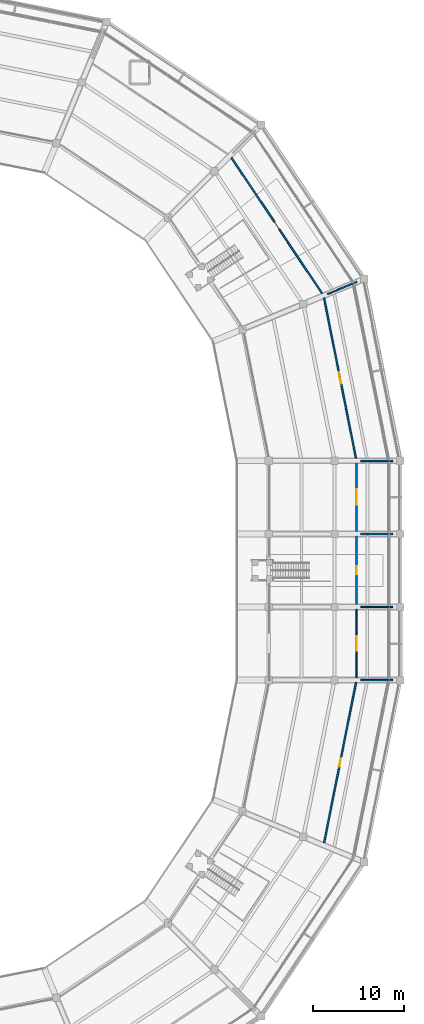
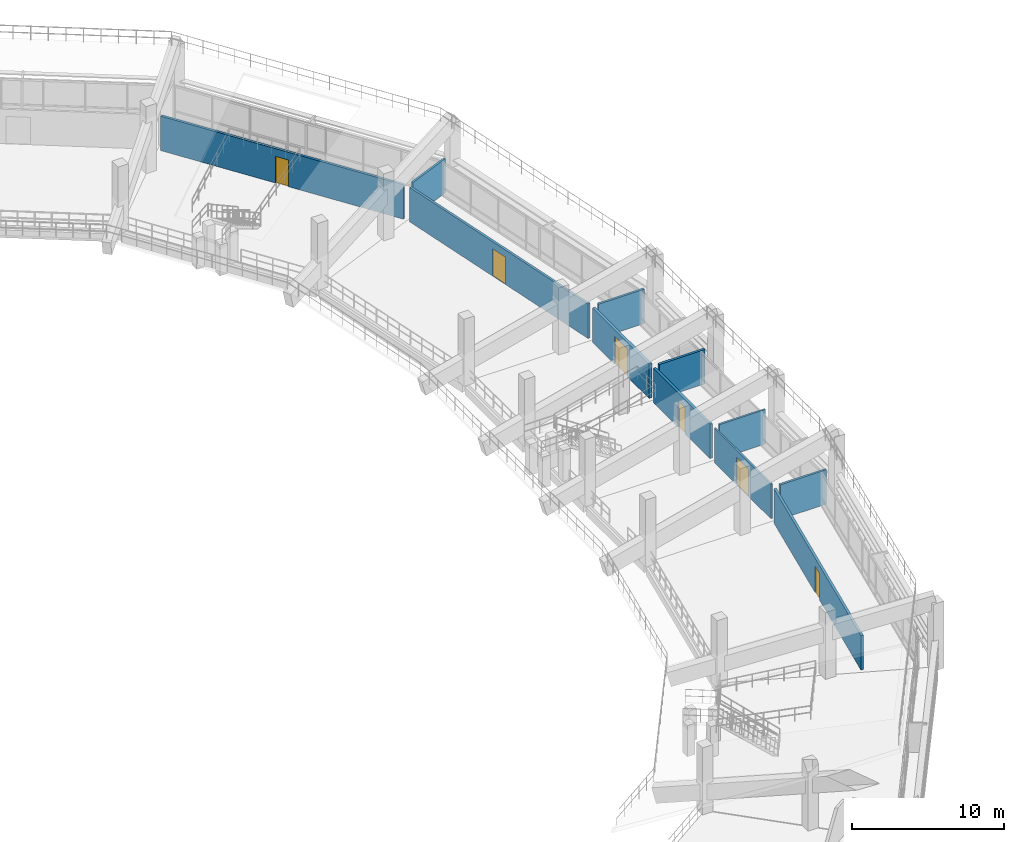
# One storey, part 65 of 96: 11 walls, 6 doors, 6 openings.
"""IFC4 building model written with IfcOpenShell, lengths in metres."""

from ifc_helpers import new_model, si_unit, direction, frame, frame_2d, origin, place, context, subcontext, project, spatial, rectangle, extrude, material, layer, layer_set, type_object, element, fill, save


model = new_model("IFC4")

# Units and contexts
model_context = context("Model", 3, precision=1e-05, world=origin(), true_north=direction((0.0, 1.0)))
body_context = subcontext(model_context, "Body", "Model", "MODEL_VIEW")
ifc_project = project(units=[si_unit("LENGTHUNIT", "METRE"), si_unit("AREAUNIT", "SQUARE_METRE"), si_unit("VOLUMEUNIT", "CUBIC_METRE"), si_unit("PLANEANGLEUNIT", "RADIAN"), si_unit("MASSUNIT", "GRAM", prefix="KILO")], contexts=[model_context])

# Site, building, storey
site_placement = place(None, origin())
site = spatial("IfcSite", under=ifc_project, at=site_placement, CompositionType="ELEMENT")
building_placement = place(site_placement, origin())
building = spatial("IfcBuilding", under=site, at=building_placement, Name="Candeia Ridge Stadium", CompositionType="ELEMENT")
storey_placement = place(building_placement, frame((0.0, 0.0, 21.60009765625)))
storey = spatial("IfcBuildingStorey", under=building, at=storey_placement, Name="L04", CompositionType="ELEMENT", Elevation=21.60009765625)

# Walls
ifc_material_1 = material(Name="Gypsum Metal-Stud Partition", Category="gypsum")
ifc_layer_1 = layer(ifc_material_1, 0.14501953125, Name="Gypsum Metal-Stud Partition", Category="gypsum")
ifc_layer_set_1 = layer_set([ifc_layer_1], Name="Gypsum Metal-Stud Partition")
wall_type_1 = type_object("IfcWallType", Name="Athlete Recovery Partition 145", PredefinedType="PARTITIONING", material=ifc_layer_set_1)
wall_1_placement = place(storey_placement, frame((188.64990234375, 79.0, 0.0), z_axis=(0.0, 0.0, 1.0), x_axis=(1.0, 0.0, 0.0)))
element("IfcWall", 1, at=wall_1_placement, inside=storey, type_object=wall_type_1, Name="Demising partition PT-L04-0665", PredefinedType="PARTITIONING", context=body_context, shape_type="SweptSolid", body=[
    extrude(rectangle(XDim=3.5, YDim=0.14501953125, at=frame_2d((1.75, 0.0))), origin(), (0.0, 0.0, 1.0), 2.772216796875),
])
ifc_material_2 = material(Name="Gypsum Acoustic Twin-Stud Assembly", Category="gypsum")
ifc_layer_2 = layer(ifc_material_2, 0.159912109375, Name="Gypsum Acoustic Twin-Stud Assembly", Category="gypsum")
ifc_layer_set_2 = layer_set([ifc_layer_2], Name="Gypsum Acoustic Twin-Stud Assembly")
wall_type_2 = type_object("IfcWallType", Name="Club Dining Acoustic Partition 160", PredefinedType="PARTITIONING", material=ifc_layer_set_2)
wall_2_placement = place(storey_placement, frame((188.64990234375, 71.0, 0.0), z_axis=(0.0, 0.0, 1.0), x_axis=(1.0, 0.0, 0.0)))
element("IfcWall", 2, at=wall_2_placement, inside=storey, type_object=wall_type_2, Name="Demising partition PT-L04-0663", PredefinedType="PARTITIONING", context=body_context, shape_type="SweptSolid", body=[
    extrude(rectangle(XDim=3.5, YDim=0.159912109375, at=frame_2d((1.75, 0.0))), origin(), (0.0, 0.0, 1.0), 2.772216796875),
])
ifc_material_3 = material(Name="Concrete Masonry Blockwork C25/30", Category="masonry")
ifc_layer_3 = layer(ifc_material_3, 0.14990234375, Name="Concrete Masonry Blockwork C25/30", Category="masonry")
ifc_layer_set_3 = layer_set([ifc_layer_3], Name="Concrete Masonry Blockwork C25/30")
wall_type_3 = type_object("IfcWallType", Name="Concourse Kiosk Partition 150", PredefinedType="PARTITIONING", material=ifc_layer_set_3)
wall_3_placement = place(storey_placement, frame((185.022705078125, 113.23486328125, 0.0), z_axis=(0.0, 0.0, 1.0), x_axis=(0.923896124067, 0.382643374349, 0.0)))
element("IfcWall", 3, at=wall_3_placement, inside=storey, type_object=wall_type_3, Name="Demising partition PT-L04-0671", PredefinedType="PARTITIONING", context=body_context, shape_type="SweptSolid", body=[
    extrude(rectangle(XDim=3.500244140625, YDim=0.14990234375, at=frame_2d((1.75, 0.0))), origin(), (0.0, 0.0, 1.0), 2.772216796875),
])

# Wall, opening, door
ifc_layer_4 = layer(ifc_material_2, 0.179931640625, Name="Gypsum Acoustic Twin-Stud Assembly", Category="gypsum")
ifc_layer_set_4 = layer_set([ifc_layer_4], Name="Gypsum Acoustic Twin-Stud Assembly")
wall_type_4 = type_object("IfcWallType", Name="Corridor Fire Partition 180", PredefinedType="PARTITIONING", material=ifc_layer_set_4)
wall_4_placement = place(storey_placement, frame((184.446044921875, 113.3037109375, 0.0), z_axis=(0.0, 0.0, 1.0), x_axis=(-0.55556974362, 0.831469939309, 0.0)))
wall_4 = element("IfcWall", 4, at=wall_4_placement, inside=storey, type_object=wall_type_4, Name="Interior partition PT-L04-0672", PredefinedType="PARTITIONING", context=body_context, shape_type="SweptSolid", body=[
    extrude(rectangle(XDim=17.87646484375, YDim=0.179931640625, at=frame_2d((8.938232421875, 0.0))), origin(), (0.0, 0.0, 1.0), 2.772216796875),
])
opening_1_placement = place(wall_4_placement, frame((8.458251953125, 0.0, 0.0)))
opening_1 = element("IfcOpeningElement", 5, at=opening_1_placement, cuts=wall_4, Name="Opening ID17", PredefinedType="OPENING", context=body_context, shape_type="SweptSolid", body=[
    extrude(rectangle(XDim=0.9599609375, YDim=2.14990234375, at=frame_2d((0.47998046875, 1.074951171875))), frame((0.0, 0.099853515625, 0.0), z_axis=(0.0, -1.0, 0.0), x_axis=(1.0, 0.0, 0.0)), (0.0, 0.0, 1.0), 0.199951171875),
])
ifc_material_4 = material(Name="Solid Core Cedar Veneer", Category="wood")
door_type_1 = type_object("IfcDoorType", Name="Ticketing Office Single Door 960x2150", OperationType="NOTDEFINED", PredefinedType="DOOR", material=ifc_material_4)
door_1_placement = place(opening_1_placement, frame((0.9599609375, 0.0, 0.0), z_axis=(0.0, 0.0, 1.0), x_axis=(-1.0, 0.0, 0.0)))
door_1 = element("IfcDoor", 6, at=door_1_placement, inside=storey, type_object=door_type_1, Name="Interior room door D-L04-0345", OperationType="SINGLE_SWING_RIGHT", OverallHeight=2.14990234375, OverallWidth=0.9599609375, PredefinedType="DOOR", context=body_context, shape_type="SweptSolid", body=[
    extrude(rectangle(XDim=0.9599609375, YDim=2.14990234375, at=frame_2d((0.47998046875, 1.074951171875))), frame((0.0, 0.02490234375, 0.0), z_axis=(0.0, -1.0, 0.0), x_axis=(1.0, 0.0, 0.0)), (0.0, 0.0, 1.0), 0.050048828125),
])
fill(opening_1, door_1)

# Wall
ifc_layer_5 = layer(ifc_material_2, 0.1650390625, Name="Gypsum Acoustic Twin-Stud Assembly", Category="gypsum")
ifc_layer_set_5 = layer_set([ifc_layer_5], Name="Gypsum Acoustic Twin-Stud Assembly")
wall_type_5 = type_object("IfcWallType", Name="Hospitality Suite Acoustic Wall 165", PredefinedType="PARTITIONING", material=ifc_layer_set_5)
wall_5_placement = place(storey_placement, frame((188.64990234375, 95.0, 0.0), z_axis=(0.0, 0.0, 1.0), x_axis=(1.0, 0.0, 0.0)))
element("IfcWall", 7, at=wall_5_placement, inside=storey, type_object=wall_type_5, Name="Demising partition PT-L04-0669", PredefinedType="PARTITIONING", context=body_context, shape_type="SweptSolid", body=[
    extrude(rectangle(XDim=3.5, YDim=0.1650390625, at=frame_2d((1.75, 0.0))), origin(), (0.0, 0.0, 1.0), 2.772216796875),
])

# Wall, opening, door
ifc_material_5 = material(Name="Gypsum Acoustic Triple-Board Wall", Category="gypsum")
ifc_layer_6 = layer(ifc_material_5, 0.18994140625, Name="Gypsum Acoustic Triple-Board Wall", Category="gypsum")
ifc_layer_set_6 = layer_set([ifc_layer_6], Name="Gypsum Acoustic Triple-Board Wall")
wall_type_6 = type_object("IfcWallType", Name="Media & Commentary Studio Wall 190", PredefinedType="PARTITIONING", material=ifc_layer_set_6)
wall_6_placement = place(storey_placement, frame((188.199951171875, 79.2900390625, 0.0), z_axis=(0.0, 0.0, 1.0), x_axis=(0.0, 1.0, 0.0)))
wall_6 = element("IfcWall", 8, at=wall_6_placement, inside=storey, type_object=wall_type_6, Name="Interior partition PT-L04-0666", PredefinedType="PARTITIONING", context=body_context, shape_type="SweptSolid", body=[
    extrude(rectangle(XDim=7.4599609375, YDim=0.18994140625, at=frame_2d((3.72998046875, 0.0))), origin(), (0.0, 0.0, 1.0), 2.772216796875),
])
opening_2_placement = place(wall_6_placement, frame((3.280029296875, 0.0, 0.0)))
opening_2 = element("IfcOpeningElement", 9, at=opening_2_placement, cuts=wall_6, Name="Opening ID07", PredefinedType="OPENING", context=body_context, shape_type="SweptSolid", body=[
    extrude(rectangle(XDim=0.89990234375, YDim=2.10009765625, at=frame_2d((0.449951171875, 1.050048828125))), frame((0.0, 0.10498046875, 0.0), z_axis=(0.0, -1.0, 0.0), x_axis=(1.0, 0.0, 0.0)), (0.0, 0.0, 1.0), 0.2099609375),
])
ifc_material_6 = material(Name="Moisture-Resistant Laminate", Category="wood")
door_type_2 = type_object("IfcDoorType", Name="Sanitary Lobby Single Door 900x2100", OperationType="NOTDEFINED", PredefinedType="DOOR", material=ifc_material_6)
door_2_placement = place(opening_2_placement, origin())
door_2 = element("IfcDoor", 10, at=door_2_placement, inside=storey, type_object=door_type_2, Name="Interior room door D-L04-0342", OperationType="SINGLE_SWING_RIGHT", OverallHeight=2.10009765625, OverallWidth=0.89990234375, PredefinedType="DOOR", context=body_context, shape_type="SweptSolid", body=[
    extrude(rectangle(XDim=0.89990234375, YDim=2.10009765625, at=frame_2d((0.449951171875, 1.050048828125))), frame((0.0, 0.02490234375, 0.0), z_axis=(0.0, -1.0, 0.0), x_axis=(1.0, 0.0, 0.0)), (0.0, 0.0, 1.0), 0.050048828125),
])
fill(opening_2, door_2)

# Wall
ifc_layer_7 = layer(ifc_material_5, 0.18505859375, Name="Gypsum Acoustic Triple-Board Wall", Category="gypsum")
ifc_layer_set_7 = layer_set([ifc_layer_7], Name="Gypsum Acoustic Triple-Board Wall")
wall_type_7 = type_object("IfcWallType", Name="Media Booth Studio Divider 185", PredefinedType="PARTITIONING", material=ifc_layer_set_7)
wall_7_placement = place(storey_placement, frame((188.64990234375, 87.0, 0.0), z_axis=(0.0, 0.0, 1.0), x_axis=(1.0, 0.0, 0.0)))
element("IfcWall", 11, at=wall_7_placement, inside=storey, type_object=wall_type_7, Name="Demising partition PT-L04-0667", PredefinedType="PARTITIONING", context=body_context, shape_type="SweptSolid", body=[
    extrude(rectangle(XDim=3.5, YDim=0.18505859375, at=frame_2d((1.75, 0.0))), origin(), (0.0, 0.0, 1.0), 2.772216796875),
])

# Wall, opening, door
ifc_layer_8 = layer(ifc_material_2, 0.175048828125, Name="Gypsum Acoustic Twin-Stud Assembly", Category="gypsum")
ifc_layer_set_8 = layer_set([ifc_layer_8], Name="Gypsum Acoustic Twin-Stud Assembly")
wall_type_8 = type_object("IfcWallType", Name="Museum Acoustic Gallery Wall 175", PredefinedType="PARTITIONING", material=ifc_layer_set_8)
wall_8_placement = place(storey_placement, frame((184.663818359375, 53.2216796875, 0.0), z_axis=(0.0, 0.0, 1.0), x_axis=(0.195075994915, 0.980788130132, 0.0)))
wall_8 = element("IfcWall", 12, at=wall_8_placement, inside=storey, type_object=wall_type_8, Name="Interior partition PT-L04-0662", PredefinedType="PARTITIONING", context=body_context, shape_type="SweptSolid", body=[
    extrude(rectangle(XDim=17.876708984375, YDim=0.175048828125, at=frame_2d((8.9384765625, 0.0))), origin(), (0.0, 0.0, 1.0), 2.772216796875),
])
opening_3_placement = place(wall_8_placement, frame((8.458251953125, 0.0, 0.0)))
opening_3 = element("IfcOpeningElement", 13, at=opening_3_placement, cuts=wall_8, Name="Opening ID17", PredefinedType="OPENING", context=body_context, shape_type="SweptSolid", body=[
    extrude(rectangle(XDim=0.9599609375, YDim=2.14990234375, at=frame_2d((0.47998046875, 1.074951171875))), frame((0.0, 0.097412109375, 0.0), z_axis=(0.0, -1.0, 0.0), x_axis=(1.0, 0.0, 0.0)), (0.0, 0.0, 1.0), 0.195068359375),
])
door_3_placement = place(opening_3_placement, origin())
door_3 = element("IfcDoor", 14, at=door_3_placement, inside=storey, type_object=door_type_1, Name="Interior room door D-L04-0340", OperationType="SINGLE_SWING_LEFT", OverallHeight=2.14990234375, OverallWidth=0.9599609375, PredefinedType="DOOR", context=body_context, shape_type="SweptSolid", body=[
    extrude(rectangle(XDim=0.9599609375, YDim=2.14990234375, at=frame_2d((0.47998046875, 1.074951171875))), frame((0.0, 0.02490234375, 0.0), z_axis=(0.0, -1.0, 0.0), x_axis=(1.0, 0.0, 0.0)), (0.0, 0.0, 1.0), 0.050048828125),
])
fill(opening_3, door_3)

ifc_material_7 = material(Name="Moisture-Resistant Masonry & Tile", Category="masonry")
ifc_layer_9 = layer(ifc_material_7, 0.2099609375, Name="Moisture-Resistant Masonry & Tile", Category="masonry")
ifc_layer_set_9 = layer_set([ifc_layer_9], Name="Moisture-Resistant Masonry & Tile")
wall_type_9 = type_object("IfcWallType", Name="Sanitary Wet-Wall Plumbing Chase 210", PredefinedType="PLUMBINGWALL", material=ifc_layer_set_9)
wall_9_placement = place(storey_placement, frame((188.199951171875, 87.2900390625, 0.0), z_axis=(0.0, 0.0, 1.0), x_axis=(0.0, 1.0, 0.0)))
wall_9 = element("IfcWall", 15, at=wall_9_placement, inside=storey, type_object=wall_type_9, Name="Interior partition PT-L04-0668", PredefinedType="PLUMBINGWALL", context=body_context, shape_type="SweptSolid", body=[
    extrude(rectangle(XDim=7.4599609375, YDim=0.2099609375, at=frame_2d((3.72998046875, 0.0))), origin(), (0.0, 0.0, 1.0), 2.772216796875),
])
opening_4_placement = place(wall_9_placement, frame((2.8798828125, 0.0, 0.0)))
opening_4 = element("IfcOpeningElement", 16, at=opening_4_placement, cuts=wall_9, Name="Opening ID09", PredefinedType="OPENING", context=body_context, shape_type="SweptSolid", body=[
    extrude(rectangle(XDim=1.699951171875, YDim=2.25, at=frame_2d((0.85009765625, 1.125))), frame((0.0, 0.114990234375, 0.0), z_axis=(0.0, -1.0, 0.0), x_axis=(1.0, 0.0, 0.0)), (0.0, 0.0, 1.0), 0.22998046875),
])
ifc_material_8 = material(Name="Timber Fire-Rated Acoustic", Category="wood")
door_type_3 = type_object("IfcDoorType", Name="Founders Lounge Double Door 1700x2250", OperationType="NOTDEFINED", PredefinedType="DOOR", material=ifc_material_8)
door_4_placement = place(opening_4_placement, origin())
door_4 = element("IfcDoor", 17, at=door_4_placement, inside=storey, type_object=door_type_3, Name="Interior room door D-L04-0343", OperationType="DOUBLE_DOOR_SINGLE_SWING", OverallHeight=2.25, OverallWidth=1.699951171875, PredefinedType="DOOR", context=body_context, shape_type="SweptSolid", body=[
    extrude(rectangle(XDim=1.699951171875, YDim=2.25, at=frame_2d((0.85009765625, 1.125))), frame((0.0, 0.02490234375, 0.0), z_axis=(0.0, -1.0, 0.0), x_axis=(1.0, 0.0, 0.0)), (0.0, 0.0, 1.0), 0.050048828125),
])
fill(opening_4, door_4)

ifc_layer_10 = layer(ifc_material_2, 0.169921875, Name="Gypsum Acoustic Twin-Stud Assembly", Category="gypsum")
ifc_layer_set_10 = layer_set([ifc_layer_10], Name="Gypsum Acoustic Twin-Stud Assembly")
wall_type_10 = type_object("IfcWallType", Name="Skybox Demising Acoustic Wall 170", PredefinedType="PARTITIONING", material=ifc_layer_set_10)
wall_10_placement = place(storey_placement, frame((188.143310546875, 95.284423828125, 0.0), z_axis=(0.0, 0.0, 1.0), x_axis=(-0.195078607911, 0.980787610411, 0.0)))
wall_10 = element("IfcWall", 18, at=wall_10_placement, inside=storey, type_object=wall_type_10, Name="Interior partition PT-L04-0670", PredefinedType="PARTITIONING", context=body_context, shape_type="SweptSolid", body=[
    extrude(rectangle(XDim=17.87646484375, YDim=0.169921875, at=frame_2d((8.938232421875, 0.0))), origin(), (0.0, 0.0, 1.0), 2.772216796875),
])
opening_5_placement = place(wall_10_placement, frame((8.288330078125, 0.0, 0.0)))
opening_5 = element("IfcOpeningElement", 19, at=opening_5_placement, cuts=wall_10, Name="Opening ID13", PredefinedType="OPENING", context=body_context, shape_type="SweptSolid", body=[
    extrude(rectangle(XDim=1.300048828125, YDim=2.199951171875, at=frame_2d((0.64990234375, 1.10009765625))), frame((0.0, 0.094970703125, 0.0), z_axis=(0.0, -1.0, 0.0), x_axis=(1.0, 0.0, 0.0)), (0.0, 0.0, 1.0), 0.18994140625),
])
door_type_4 = type_object("IfcDoorType", Name="Medical Clinic Wide Door 1300x2200", OperationType="NOTDEFINED", PredefinedType="DOOR", material=ifc_material_6)
door_5_placement = place(opening_5_placement, frame((1.300048828125, 0.0, 0.0), z_axis=(0.0, 0.0, 1.0), x_axis=(-1.0, 0.0, 0.0)))
door_5 = element("IfcDoor", 20, at=door_5_placement, inside=storey, type_object=door_type_4, Name="Interior room door D-L04-0344", OperationType="SINGLE_SWING_LEFT", OverallHeight=2.199951171875, OverallWidth=1.300048828125, PredefinedType="DOOR", context=body_context, shape_type="SweptSolid", body=[
    extrude(rectangle(XDim=1.300048828125, YDim=2.199951171875, at=frame_2d((0.64990234375, 1.10009765625))), frame((0.0, 0.02490234375, 0.0), z_axis=(0.0, -1.0, 0.0), x_axis=(1.0, 0.0, 0.0)), (0.0, 0.0, 1.0), 0.050048828125),
])
fill(opening_5, door_5)

ifc_layer_11 = layer(ifc_material_1, 0.1298828125, Name="Gypsum Metal-Stud Partition", Category="gypsum")
ifc_layer_set_11 = layer_set([ifc_layer_11], Name="Gypsum Metal-Stud Partition")
wall_type_11 = type_object("IfcWallType", Name="Ticketing Back-Office Partition 130", PredefinedType="PARTITIONING", material=ifc_layer_set_11)
wall_11_placement = place(storey_placement, frame((188.199951171875, 71.2900390625, 0.0), z_axis=(0.0, 0.0, 1.0), x_axis=(0.0, 1.0, 0.0)))
wall_11 = element("IfcWall", 21, at=wall_11_placement, inside=storey, type_object=wall_type_11, Name="Interior partition PT-L04-0664", PredefinedType="PARTITIONING", context=body_context, shape_type="SweptSolid", body=[
    extrude(rectangle(XDim=7.4599609375, YDim=0.1298828125, at=frame_2d((3.72998046875, 0.0))), origin(), (0.0, 0.0, 1.0), 2.772216796875),
])
opening_6_placement = place(wall_11_placement, frame((2.929931640625, 0.0, 0.0)))
opening_6 = element("IfcOpeningElement", 22, at=opening_6_placement, cuts=wall_11, Name="Opening ID03", PredefinedType="OPENING", context=body_context, shape_type="SweptSolid", body=[
    extrude(rectangle(XDim=1.60009765625, YDim=2.199951171875, at=frame_2d((0.800048828125, 1.10009765625))), frame((0.0, 0.074951171875, 0.0), z_axis=(0.0, -1.0, 0.0), x_axis=(1.0, 0.0, 0.0)), (0.0, 0.0, 1.0), 0.14990234375),
])
ifc_material_9 = material(Name="Solid Core Hardwood Veneer", Category="wood")
door_type_5 = type_object("IfcDoorType", Name="Athlete Dressing Double Door 1600x2200", OperationType="NOTDEFINED", PredefinedType="DOOR", material=ifc_material_9)
door_6_placement = place(opening_6_placement, origin())
door_6 = element("IfcDoor", 23, at=door_6_placement, inside=storey, type_object=door_type_5, Name="Interior room door D-L04-0341", OperationType="DOUBLE_DOOR_SINGLE_SWING", OverallHeight=2.199951171875, OverallWidth=1.60009765625, PredefinedType="DOOR", context=body_context, shape_type="SweptSolid", body=[
    extrude(rectangle(XDim=1.60009765625, YDim=2.199951171875, at=frame_2d((0.800048828125, 1.10009765625))), frame((0.0, 0.02490234375, 0.0), z_axis=(0.0, -1.0, 0.0), x_axis=(1.0, 0.0, 0.0)), (0.0, 0.0, 1.0), 0.050048828125),
])
fill(opening_6, door_6)

save(model, "model.ifc")
